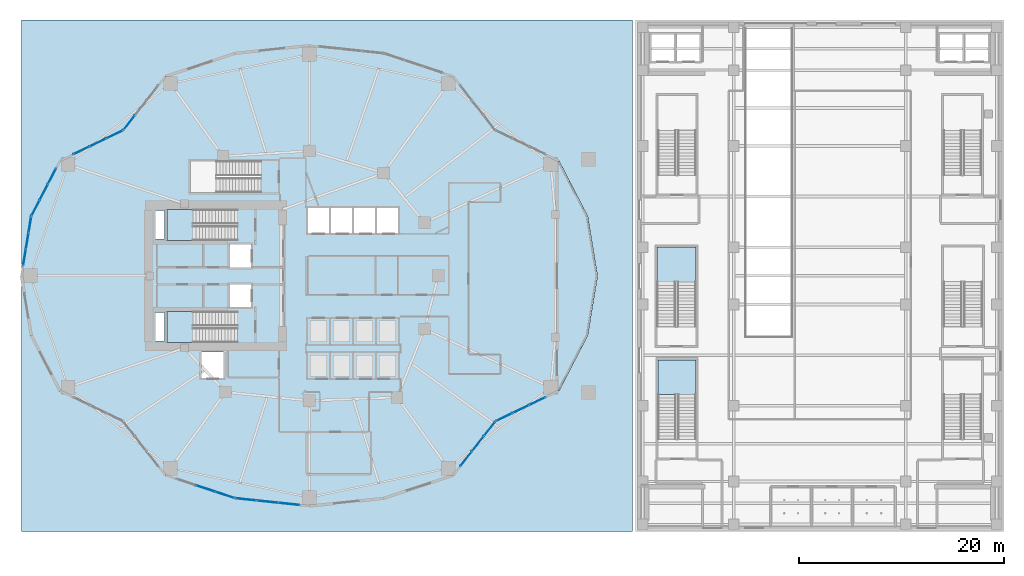
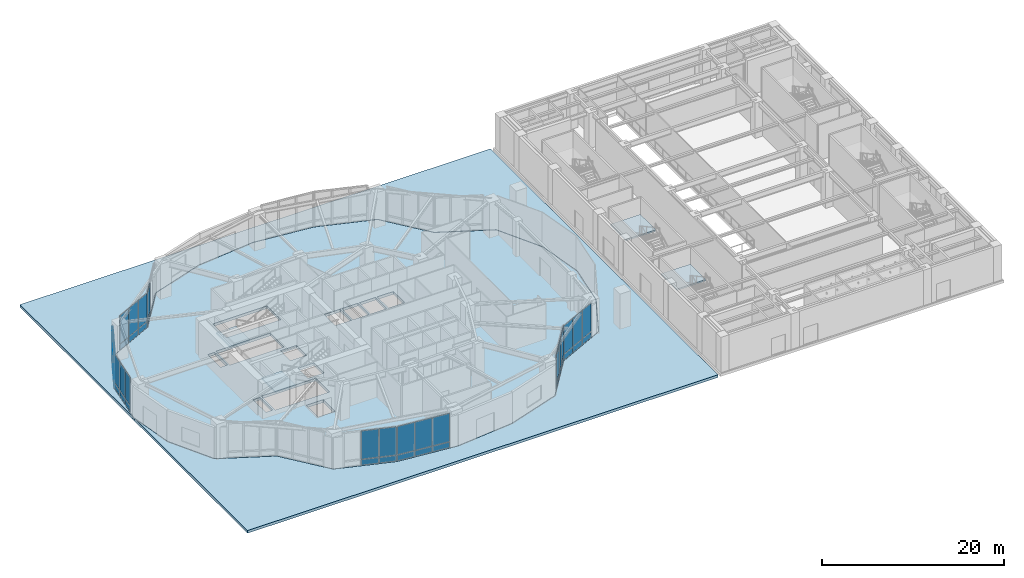
# One storey, part 9 of 23: 42 plates, 6 slabs, 12 elements without a shape of their own.
"""IFC4 building model written with IfcOpenShell, lengths in metres."""

import ifcopenshell
import ifcopenshell.guid

model = None  # the IFC model being written
_history = None  # IfcOwnerHistory: only IFC2X3 demands one
_inside = {}  # id of a spatial element -> (the spatial element, [elements in it])
_under = {}  # id of a project, library or spatial element -> (it, [spatial elements below it])
_declared = {}  # id of a project -> (the project, [libraries it declares])
_typed = {}  # id of a type object -> (the type object, [elements of that type])
_made_of = {}  # id of a material, layer set ... -> (it, [elements and type objects made of it])


def new_model(schema):
    """Start an empty IFC model of exactly this schema.

    Asked for "IFC4X3", IfcOpenShell would pick the latest addendum, in which some entities
    have other attributes; the version numbers below select the first issue.
    IFC2X3 requires an IfcOwnerHistory on every rooted entity: one is made here for all.
    """
    global model, _history
    if schema == "IFC4X3":
        model = ifcopenshell.file(schema_version=(4, 3, 0, 0))
    else:
        model = ifcopenshell.file(schema=schema)
    _inside.clear()
    _under.clear()
    _declared.clear()
    _typed.clear()
    _made_of.clear()
    _history = None
    if model.schema == "IFC2X3":
        org = make("IfcOrganization", Name="unknown")
        user = make(
            "IfcPersonAndOrganization",
            ThePerson=make("IfcPerson", FamilyName="unknown"),
            TheOrganization=org,
        )
        app = make(
            "IfcApplication",
            ApplicationDeveloper=org,
            Version="unknown",
            ApplicationFullName="unknown",
            ApplicationIdentifier="unknown",
        )
        _history = make(
            "IfcOwnerHistory",
            OwningUser=user,
            OwningApplication=app,
            ChangeAction="ADDED",
            CreationDate=0,
        )
    return model


def make(cls, **values):
    """One entity of the class cls with the attributes given. An attribute that is None is left unset."""
    return model.create_entity(
        cls, **{name: value for name, value in values.items() if value is not None}
    )


def rooted(cls, **values):
    """An entity with a GlobalId (a new one), such as an element, a storey or a relation."""
    return make(cls, GlobalId=ifcopenshell.guid.new(), OwnerHistory=_history, **values)


def si_unit(unit_type, name, prefix=None):
    """IfcSIUnit, for example si_unit("LENGTHUNIT", "METRE", prefix="MILLI")."""
    return make("IfcSIUnit", UnitType=unit_type, Prefix=prefix, Name=name)


def assignment(units):
    """IfcUnitAssignment: the units of a project."""
    return None if units is None else make("IfcUnitAssignment", Units=units)


def point(xyz):
    """IfcCartesianPoint."""
    return None if xyz is None else make("IfcCartesianPoint", Coordinates=xyz)


def direction(xyz):
    """IfcDirection."""
    return None if xyz is None else make("IfcDirection", DirectionRatios=xyz)


def frame(location, z_axis=None, x_axis=None):
    """IfcAxis2Placement3D, a coordinate frame: its origin and axes. An axis left out is left unset."""
    return make(
        "IfcAxis2Placement3D",
        Location=point(location),
        Axis=direction(z_axis),
        RefDirection=direction(x_axis),
    )


def frame_2d(location, x_axis=None):
    """IfcAxis2Placement2D, a coordinate frame in the plane: its origin and x axis."""
    return make(
        "IfcAxis2Placement2D", Location=point(location), RefDirection=direction(x_axis)
    )


def origin():
    """The frame at (0, 0, 0) with its axes left unset."""
    return frame((0.0, 0.0, 0.0))


def origin_2d():
    """The frame at (0, 0) in the plane with its x axis left unset."""
    return frame_2d((0.0, 0.0))


def place(relative_to, where):
    """IfcLocalPlacement: puts the frame where relative to a parent placement (None: the world)."""
    return make(
        "IfcLocalPlacement", PlacementRelTo=relative_to, RelativePlacement=where
    )


def context(
    kind, dimensions, precision=None, world=None, true_north=None, identifier=None
):
    """IfcGeometricRepresentationContext, for example the 3D "Model" context."""
    return make(
        "IfcGeometricRepresentationContext",
        ContextIdentifier=identifier,
        ContextType=kind,
        CoordinateSpaceDimension=dimensions,
        Precision=precision,
        WorldCoordinateSystem=world,
        TrueNorth=true_north,
    )


def subcontext(parent, identifier, kind, view, scale=None):
    """IfcGeometricRepresentationSubContext, for example "Body" below "Model"."""
    return make(
        "IfcGeometricRepresentationSubContext",
        ContextIdentifier=identifier,
        ContextType=kind,
        ParentContext=parent,
        TargetScale=scale,
        TargetView=view,
    )


def project(units=None, contexts=None):
    """IfcProject with its units and contexts."""
    return rooted(
        "IfcProject",
        Name="project",
        RepresentationContexts=contexts,
        UnitsInContext=assignment(units),
    )


def spatial(cls, under=None, at=None, **own):
    """A site, building, storey or space (cls), placed at a placement, below another one or the project."""
    s = rooted(cls, ObjectPlacement=at, **own)
    if under is not None:
        _under.setdefault(under.id(), (under, []))[1].append(s)
    return s


def polyline(points):
    """IfcPolyline through the points."""
    return make("IfcPolyline", Points=[point(p) for p in points])


def profile(cls, at=None, kind="AREA", **sizes):
    """A parametric profile (cls). Its sizes go by their IFC names, for example OverallWidth=200.0."""
    return make(cls, ProfileType=kind, Position=at, **sizes)


def rectangle(**sizes):
    """IfcRectangleProfileDef."""
    return profile("IfcRectangleProfileDef", **sizes)


def outline(outer, holes=None, kind="AREA"):
    """IfcArbitraryClosedProfileDef: a profile drawn as a closed curve; with holes, ...WithVoids."""
    if holes is None:
        return make("IfcArbitraryClosedProfileDef", ProfileType=kind, OuterCurve=outer)
    return make(
        "IfcArbitraryProfileDefWithVoids",
        ProfileType=kind,
        OuterCurve=outer,
        InnerCurves=holes,
    )


def extrude(swept, where, along, depth):
    """IfcExtrudedAreaSolid: the profile swept, set in the frame where, extruded along a direction by depth."""
    return make(
        "IfcExtrudedAreaSolid",
        SweptArea=swept,
        Position=where,
        ExtrudedDirection=direction(along),
        Depth=depth,
    )


def shape(context_of_items, identifier, shape_type, items):
    """IfcShapeRepresentation: the items that make up one representation, for example the "Body"."""
    return make(
        "IfcShapeRepresentation",
        ContextOfItems=context_of_items,
        RepresentationIdentifier=identifier,
        RepresentationType=shape_type,
        Items=items,
    )


def material(Name=None, Category=None):
    """IfcMaterial."""
    return make("IfcMaterial", Name=Name, Category=Category)


def layer(
    of_material, thickness, ventilated=None, Name=None, Category=None, Priority=None
):
    """IfcMaterialLayer: one layer of a wall or slab, of a material (None: an air gap)."""
    return make(
        "IfcMaterialLayer",
        Material=of_material,
        LayerThickness=thickness,
        IsVentilated=ventilated,
        Name=Name,
        Category=Category,
        Priority=Priority,
    )


def layer_set(layers, Name=None):
    """IfcMaterialLayerSet."""
    return make("IfcMaterialLayerSet", MaterialLayers=layers, LayerSetName=Name)


def made_of(thing, what):
    """Note that an element or type object is made of a material, layer set ...; save() writes the relation."""
    if what is not None:
        _made_of.setdefault(what.id(), (what, []))[1].append(thing)
    return thing


def type_object(cls, material=None, **own):
    """A type object (cls), such as IfcWallType, which elements share."""
    return made_of(rooted(cls, **own), material)


def element(
    cls,
    number,
    at=None,
    inside=None,
    cuts=None,
    type_object=None,
    material=None,
    context=None,
    identifier="Body",
    shape_type=None,
    held_by="IfcProductDefinitionShape",
    body=None,
    shapes=None,
    **own,
):
    """One element of the class cls, such as IfcWall. Its Tag is "e" and its number.

    at: its placement. inside: the storey or other place that contains it. cuts: it is an
    opening in that element (IfcRelVoidsElement). A single representation is given by context,
    identifier, shape_type and body (its items); several are given by shapes. held_by: the class
    of the entity that holds the representations. save() writes the other relations.
    """
    e = rooted(cls, Tag="e%d" % number, ObjectPlacement=at, **own)
    if body is not None:
        shapes = [shape(context, identifier, shape_type, body)]
    if shapes is not None:
        e.Representation = make(held_by, Representations=shapes)
    if inside is not None:
        _inside.setdefault(inside.id(), (inside, []))[1].append(e)
    if cuts is not None:
        rooted(
            "IfcRelVoidsElement", RelatingBuildingElement=cuts, RelatedOpeningElement=e
        )
    if type_object is not None:
        _typed.setdefault(type_object.id(), (type_object, []))[1].append(e)
    return made_of(e, material)


def aggregate(whole, parts):
    """IfcRelAggregates: a whole, such as a stair, and the parts it consists of."""
    return rooted("IfcRelAggregates", RelatingObject=whole, RelatedObjects=parts)


def save(model, path):
    """Write the relations noted so far, then the file.

    IfcRelAggregates (storeys below a building ...), IfcRelContainedInSpatialStructure (elements
    in a storey), IfcRelDefinesByType, IfcRelAssociatesMaterial and IfcRelDeclares: one each for
    every whole, place, type object, material and project.
    """
    for whole, parts in _under.values():
        aggregate(whole, parts)
    for where, things in _inside.values():
        rooted(
            "IfcRelContainedInSpatialStructure",
            RelatedElements=things,
            RelatingStructure=where,
        )
    for kind, things in _typed.values():
        rooted("IfcRelDefinesByType", RelatedObjects=things, RelatingType=kind)
    for what, things in _made_of.values():
        rooted("IfcRelAssociatesMaterial", RelatedObjects=things, RelatingMaterial=what)
    for by, libraries in _declared.values():
        rooted("IfcRelDeclares", RelatingContext=by, RelatedDefinitions=libraries)
    model.write(path)


model = new_model("IFC4")

# Units and contexts
model_context = context("Model", 3, precision=1e-05, world=origin(), true_north=direction((0.0, 1.0)))
body_context = subcontext(model_context, "Body", "Model", "MODEL_VIEW")
ifc_project = project(units=[si_unit("LENGTHUNIT", "METRE"), si_unit("AREAUNIT", "SQUARE_METRE"), si_unit("VOLUMEUNIT", "CUBIC_METRE"), si_unit("PLANEANGLEUNIT", "RADIAN"), si_unit("MASSUNIT", "GRAM", prefix="KILO")], contexts=[model_context])

# Site, building, storey
site_placement = place(None, origin())
site = spatial("IfcSite", under=ifc_project, at=site_placement, CompositionType="ELEMENT")
building_placement = place(site_placement, origin())
building = spatial("IfcBuilding", under=site, at=building_placement, Name="Kolvaren Gate Tower and Convention Centre", CompositionType="ELEMENT")
storey_placement = place(building_placement, origin())
storey = spatial("IfcBuildingStorey", under=building, at=storey_placement, Name="L00", CompositionType="ELEMENT", Elevation=0.0)

# Curtain wall, plate
ifc_material_1 = material(Name="Anodized Architectural Aluminium Alloy 6063-T6", Category="aluminium")
ifc_layer_1 = layer(ifc_material_1, 0.179931640625)
ifc_layer_set_1 = layer_set([ifc_layer_1], Name="Anodized Architectural Aluminium Alloy 6063-T6")
curtain_wall_type = type_object("IfcCurtainWallType", Name="CW-POD-GLZ", PredefinedType="NOTDEFINED", material=ifc_layer_set_1)
curtain_wall_1_placement = place(storey_placement, origin())
curtain_wall_1 = element("IfcCurtainWall", 1, at=curtain_wall_1_placement, inside=storey, type_object=curtain_wall_type, Name="Tower L00 Unitised Curtain Wall CW-POD-GLZ Bay 08", PredefinedType="NOTDEFINED")
ifc_material_2 = material(Name="Low-E Triple Insulated Glazing Unit 44 mm", Category="glass")
ifc_layer_2 = layer(ifc_material_2, 0.0439453125)
ifc_layer_set_2 = layer_set([ifc_layer_2], Name="Low-E Triple Insulated Glazing Unit 44 mm")
plate_type_1 = type_object("IfcPlateType", Name="CW-PL-IGU-44", PredefinedType="CURTAIN_PANEL", material=ifc_layer_set_2)
plate_1_placement = place(storey_placement, frame((12.523681640625, 41.965087890625, 0.8876953125), z_axis=(0.0, 0.0, 1.0), x_axis=(0.616421003276, 0.787416755422, 0.0)))
plate_1 = element("IfcPlate", 2, at=plate_1_placement, type_object=plate_type_1, Name="CW-01 panel 1.2", PredefinedType="CURTAIN_PANEL", context=body_context, shape_type="SweptSolid", body=[
    extrude(rectangle(XDim=1.7607421875, YDim=0.0439453125, at=origin_2d()), origin(), (0.0, 0.0, 1.0), 3.777587890625),
])

# Curtain wall, plates
curtain_wall_2_placement = place(storey_placement, origin())
curtain_wall_2 = element("IfcCurtainWall", 3, at=curtain_wall_2_placement, inside=storey, type_object=curtain_wall_type, Name="Tower L00 Unitised Curtain Wall CW-POD-GLZ Bay 09", PredefinedType="NOTDEFINED")
plate_2_placement = place(storey_placement, frame((7.85009765625, 39.250244140625, 0.8876953125), z_axis=(0.0, 0.0, 1.0), x_axis=(0.901366679942, 0.433056703319, 0.0)))
plate_2 = element("IfcPlate", 4, at=plate_2_placement, type_object=plate_type_1, Name="CW-01 panel 1.2", PredefinedType="CURTAIN_PANEL", context=body_context, shape_type="SweptSolid", body=[
    extrude(rectangle(XDim=1.707763671875, YDim=0.0439453125, at=origin_2d()), origin(), (0.0, 0.0, 1.0), 3.777587890625),
])
plate_3_placement = place(storey_placement, frame((9.4736328125, 40.030517578125, 0.8876953125), z_axis=(0.0, 0.0, 1.0), x_axis=(0.901366679942, 0.433056703319, 0.0)))
plate_3 = element("IfcPlate", 5, at=plate_3_placement, type_object=plate_type_1, Name="CW-01 panel 2.2", PredefinedType="CURTAIN_PANEL", context=body_context, shape_type="SweptSolid", body=[
    extrude(rectangle(XDim=1.7451171875, YDim=0.0439453125, at=origin_2d()), origin(), (0.0, 0.0, 1.0), 3.777587890625),
])
plate_4_placement = place(storey_placement, frame((11.097412109375, 40.810546875, 0.8876953125), z_axis=(0.0, 0.0, 1.0), x_axis=(0.901366679942, 0.433056703319, 0.0)))
plate_4 = element("IfcPlate", 6, at=plate_4_placement, type_object=plate_type_1, Name="CW-01 panel 3.2", PredefinedType="CURTAIN_PANEL", context=body_context, shape_type="SweptSolid", body=[
    extrude(rectangle(XDim=1.707763671875, YDim=0.0439453125, at=origin_2d()), origin(), (0.0, 0.0, 1.0), 3.777587890625),
])

curtain_wall_3_placement = place(storey_placement, origin())
curtain_wall_3 = element("IfcCurtainWall", 7, at=curtain_wall_3_placement, inside=storey, type_object=curtain_wall_type, Name="Tower L00 Unitised Curtain Wall CW-POD-GLZ Bay 10", PredefinedType="NOTDEFINED")
plate_5_placement = place(storey_placement, frame((3.373779296875, 33.625732421875, 0.8876953125), z_axis=(0.0, 0.0, 1.0), x_axis=(0.459789264949, 0.888028058024, 0.0)))
plate_5 = element("IfcPlate", 8, at=plate_5_placement, type_object=plate_type_1, Name="CW-01 panel 1.2", PredefinedType="CURTAIN_PANEL", context=body_context, shape_type="SweptSolid", body=[
    extrude(rectangle(XDim=1.6572265625, YDim=0.0439453125, at=origin_2d()), origin(), (0.0, 0.0, 1.0), 3.777587890625),
])
plate_6_placement = place(storey_placement, frame((4.1787109375, 35.1806640625, 0.8876953125), z_axis=(0.0, 0.0, 1.0), x_axis=(0.459789264949, 0.888028058024, 0.0)))
plate_6 = element("IfcPlate", 9, at=plate_6_placement, type_object=plate_type_1, Name="CW-01 panel 2.2", PredefinedType="CURTAIN_PANEL", context=body_context, shape_type="SweptSolid", body=[
    extrude(rectangle(XDim=1.694580078125, YDim=0.0439453125, at=origin_2d()), origin(), (0.0, 0.0, 1.0), 3.777587890625),
])
plate_7_placement = place(storey_placement, frame((4.98388671875, 36.735595703125, 0.8876953125), z_axis=(0.0, 0.0, 1.0), x_axis=(0.459789264949, 0.888028058024, 0.0)))
plate_7 = element("IfcPlate", 10, at=plate_7_placement, type_object=plate_type_1, Name="CW-01 panel 3.2", PredefinedType="CURTAIN_PANEL", context=body_context, shape_type="SweptSolid", body=[
    extrude(rectangle(XDim=1.6572265625, YDim=0.0439453125, at=origin_2d()), origin(), (0.0, 0.0, 1.0), 3.777587890625),
])

curtain_wall_4_placement = place(storey_placement, origin())
curtain_wall_4 = element("IfcCurtainWall", 11, at=curtain_wall_4_placement, inside=storey, type_object=curtain_wall_type, Name="Tower L00 Unitised Curtain Wall CW-POD-GLZ Bay 11", PredefinedType="NOTDEFINED")
plate_8_placement = place(storey_placement, frame((2.295166015625, 28.793212890625, 0.8876953125), z_axis=(0.0, 0.0, 1.0), x_axis=(0.162376449454, 0.986728883059, 0.0)))
plate_8 = element("IfcPlate", 12, at=plate_8_placement, type_object=plate_type_1, Name="CW-01 panel 1.2", PredefinedType="CURTAIN_PANEL", context=body_context, shape_type="SweptSolid", body=[
    extrude(rectangle(XDim=1.52880859375, YDim=0.0439453125, at=origin_2d()), origin(), (0.0, 0.0, 1.0), 3.777587890625),
])
plate_9_placement = place(storey_placement, frame((2.55859375, 30.394287109375, 0.8876953125), z_axis=(0.0, 0.0, 1.0), x_axis=(0.162376449454, 0.986728883059, 0.0)))
plate_9 = element("IfcPlate", 13, at=plate_9_placement, type_object=plate_type_1, Name="CW-01 panel 2.2", PredefinedType="CURTAIN_PANEL", context=body_context, shape_type="SweptSolid", body=[
    extrude(rectangle(XDim=1.566162109375, YDim=0.0439453125, at=origin_2d()), origin(), (0.0, 0.0, 1.0), 3.777587890625),
])
plate_10_placement = place(storey_placement, frame((2.822021484375, 31.9951171875, 0.8876953125), z_axis=(0.0, 0.0, 1.0), x_axis=(0.162376449454, 0.986728883059, 0.0)))
plate_10 = element("IfcPlate", 14, at=plate_10_placement, type_object=plate_type_1, Name="CW-01 panel 3.2", PredefinedType="CURTAIN_PANEL", context=body_context, shape_type="SweptSolid", body=[
    extrude(rectangle(XDim=1.52880859375, YDim=0.0439453125, at=origin_2d()), origin(), (0.0, 0.0, 1.0), 3.777587890625),
])

curtain_wall_5_placement = place(storey_placement, origin())
curtain_wall_5 = element("IfcCurtainWall", 15, at=curtain_wall_5_placement, inside=storey, type_object=curtain_wall_type, Name="Tower L00 Unitised Curtain Wall CW-POD-GLZ Bay 16", PredefinedType="NOTDEFINED")
plate_11_placement = place(storey_placement, frame((19.973876953125, 6.21826171875, 0.8876953125), z_axis=(0.0, 0.0, 1.0), x_axis=(0.949242053404, -0.314546537175, 0.0)))
plate_11 = element("IfcPlate", 16, at=plate_11_placement, type_object=plate_type_1, Name="CW-01 panel 2.2", PredefinedType="CURTAIN_PANEL", context=body_context, shape_type="SweptSolid", body=[
    extrude(rectangle(XDim=1.94189453125, YDim=0.0439453125, at=origin_2d()), origin(), (0.0, 0.0, 1.0), 3.777587890625),
])
plate_12_placement = place(storey_placement, frame((21.87060546875, 5.58984375, 0.8876953125), z_axis=(0.0, 0.0, 1.0), x_axis=(0.949242053404, -0.314546537175, 0.0)))
plate_12 = element("IfcPlate", 17, at=plate_12_placement, type_object=plate_type_1, Name="CW-01 panel 3.2", PredefinedType="CURTAIN_PANEL", context=body_context, shape_type="SweptSolid", body=[
    extrude(rectangle(XDim=1.904541015625, YDim=0.0439453125, at=origin_2d()), origin(), (0.0, 0.0, 1.0), 3.777587890625),
])

curtain_wall_6_placement = place(storey_placement, origin())
curtain_wall_6 = element("IfcCurtainWall", 18, at=curtain_wall_6_placement, inside=storey, type_object=curtain_wall_type, Name="Tower L00 Unitised Curtain Wall CW-POD-GLZ Bay 17", PredefinedType="NOTDEFINED")
plate_13_placement = place(storey_placement, frame((23.923583984375, 5.153076171875, 0.8876953125), z_axis=(0.0, 0.0, 1.0), x_axis=(0.994499449653, -0.104741799872, 0.0)))
plate_13 = element("IfcPlate", 19, at=plate_13_placement, type_object=plate_type_1, Name="CW-01 panel 1.2", PredefinedType="CURTAIN_PANEL", context=body_context, shape_type="SweptSolid", body=[
    extrude(rectangle(XDim=2.017822265625, YDim=0.0439453125, at=origin_2d()), origin(), (0.0, 0.0, 1.0), 3.777587890625),
])
plate_14_placement = place(storey_placement, frame((26.023681640625, 4.931884765625, 0.8876953125), z_axis=(0.0, 0.0, 1.0), x_axis=(0.994499449653, -0.104741799872, 0.0)))
plate_14 = element("IfcPlate", 20, at=plate_14_placement, type_object=plate_type_1, Name="CW-01 panel 2.2", PredefinedType="CURTAIN_PANEL", context=body_context, shape_type="SweptSolid", body=[
    extrude(rectangle(XDim=2.055419921875, YDim=0.0439453125, at=origin_2d()), origin(), (0.0, 0.0, 1.0), 3.777587890625),
])
plate_15_placement = place(storey_placement, frame((28.12353515625, 4.7109375, 0.8876953125), z_axis=(0.0, 0.0, 1.0), x_axis=(0.994499449653, -0.104741799872, 0.0)))
plate_15 = element("IfcPlate", 21, at=plate_15_placement, type_object=plate_type_1, Name="CW-01 panel 3.2", PredefinedType="CURTAIN_PANEL", context=body_context, shape_type="SweptSolid", body=[
    extrude(rectangle(XDim=2.017822265625, YDim=0.0439453125, at=origin_2d()), origin(), (0.0, 0.0, 1.0), 3.777587890625),
])

curtain_wall_7_placement = place(storey_placement, origin())
curtain_wall_7 = element("IfcCurtainWall", 22, at=curtain_wall_7_placement, inside=storey, type_object=curtain_wall_type, Name="Tower L00 Unitised Curtain Wall CW-POD-GLZ Bay 20", PredefinedType="NOTDEFINED")
plate_16_placement = place(storey_placement, frame((45.439697265625, 9.114013671875, 0.8876953125), z_axis=(0.0, 0.0, 1.0), x_axis=(0.616425794643, 0.787413004527, 0.0)))
plate_16 = element("IfcPlate", 23, at=plate_16_placement, type_object=plate_type_1, Name="CW-01 panel 1.2", PredefinedType="CURTAIN_PANEL", context=body_context, shape_type="SweptSolid", body=[
    extrude(rectangle(XDim=1.760986328125, YDim=0.0439453125, at=origin_2d()), origin(), (0.0, 0.0, 1.0), 3.777587890625),
])
plate_17_placement = place(storey_placement, frame((46.5830078125, 10.574462890625, 0.8876953125), z_axis=(0.0, 0.0, 1.0), x_axis=(0.616425794643, 0.787413004527, 0.0)))
plate_17 = element("IfcPlate", 24, at=plate_17_placement, type_object=plate_type_1, Name="CW-01 panel 2.2", PredefinedType="CURTAIN_PANEL", context=body_context, shape_type="SweptSolid", body=[
    extrude(rectangle(XDim=1.79833984375, YDim=0.0439453125, at=origin_2d()), origin(), (0.0, 0.0, 1.0), 3.777587890625),
])
plate_18_placement = place(storey_placement, frame((47.726318359375, 12.034912109375, 0.8876953125), z_axis=(0.0, 0.0, 1.0), x_axis=(0.616425794643, 0.787413004527, 0.0)))
plate_18 = element("IfcPlate", 25, at=plate_18_placement, type_object=plate_type_1, Name="CW-01 panel 3.2", PredefinedType="CURTAIN_PANEL", context=body_context, shape_type="SweptSolid", body=[
    extrude(rectangle(XDim=1.760986328125, YDim=0.0439453125, at=origin_2d()), origin(), (0.0, 0.0, 1.0), 3.777587890625),
])

curtain_wall_8_placement = place(storey_placement, origin())
curtain_wall_8 = element("IfcCurtainWall", 26, at=curtain_wall_8_placement, inside=storey, type_object=curtain_wall_type, Name="Tower L00 Unitised Curtain Wall CW-POD-GLZ Bay 21", PredefinedType="NOTDEFINED")
plate_19_placement = place(storey_placement, frame((49.15234375, 13.189453125, 0.8876953125), z_axis=(0.0, 0.0, 1.0), x_axis=(0.90136380435, 0.433062688542, 0.0)))
plate_19 = element("IfcPlate", 27, at=plate_19_placement, type_object=plate_type_1, Name="CW-01 panel 1.2", PredefinedType="CURTAIN_PANEL", context=body_context, shape_type="SweptSolid", body=[
    extrude(rectangle(XDim=1.70751953125, YDim=0.0439453125, at=origin_2d()), origin(), (0.0, 0.0, 1.0), 3.777587890625),
])
plate_20_placement = place(storey_placement, frame((50.77587890625, 13.969482421875, 0.8876953125), z_axis=(0.0, 0.0, 1.0), x_axis=(0.90136380435, 0.433062688542, 0.0)))
plate_20 = element("IfcPlate", 28, at=plate_20_placement, type_object=plate_type_1, Name="CW-01 panel 2.2", PredefinedType="CURTAIN_PANEL", context=body_context, shape_type="SweptSolid", body=[
    extrude(rectangle(XDim=1.744873046875, YDim=0.0439453125, at=origin_2d()), origin(), (0.0, 0.0, 1.0), 3.777587890625),
])
plate_21_placement = place(storey_placement, frame((52.399658203125, 14.74951171875, 0.8876953125), z_axis=(0.0, 0.0, 1.0), x_axis=(0.90136380435, 0.433062688542, 0.0)))
plate_21 = element("IfcPlate", 29, at=plate_21_placement, type_object=plate_type_1, Name="CW-01 panel 3.2", PredefinedType="CURTAIN_PANEL", context=body_context, shape_type="SweptSolid", body=[
    extrude(rectangle(XDim=1.70751953125, YDim=0.0439453125, at=origin_2d()), origin(), (0.0, 0.0, 1.0), 3.777587890625),
])

# Plate
ifc_material_3 = material(Name="Solar-Control Laminated Curtain Glazing 36 mm", Category="glass")
ifc_layer_3 = layer(ifc_material_3, 0.035888671875)
ifc_layer_set_3 = layer_set([ifc_layer_3], Name="Solar-Control Laminated Curtain Glazing 36 mm")
plate_type_2 = type_object("IfcPlateType", Name="CW-PL-SPAN-36", PredefinedType="CURTAIN_PANEL", material=ifc_layer_set_3)
plate_22_placement = place(storey_placement, frame((12.523681640625, 41.965087890625, 0.0751953125), z_axis=(0.0, 0.0, 1.0), x_axis=(0.616421003276, 0.787416755422, 0.0)))
plate_22 = element("IfcPlate", 30, at=plate_22_placement, type_object=plate_type_2, Name="CW-01 panel 1.1", PredefinedType="CURTAIN_PANEL", context=body_context, shape_type="SweptSolid", body=[
    extrude(rectangle(XDim=1.7607421875, YDim=0.035888671875, at=origin_2d()), origin(), (0.0, 0.0, 1.0), 0.737548828125),
])

aggregate(curtain_wall_1, [plate_22, plate_1])

plate_23_placement = place(storey_placement, frame((7.85009765625, 39.250244140625, 0.0751953125), z_axis=(0.0, 0.0, 1.0), x_axis=(0.901366679942, 0.433056703319, 0.0)))
plate_23 = element("IfcPlate", 31, at=plate_23_placement, type_object=plate_type_2, Name="CW-01 panel 1.1", PredefinedType="CURTAIN_PANEL", context=body_context, shape_type="SweptSolid", body=[
    extrude(rectangle(XDim=1.707763671875, YDim=0.035888671875, at=origin_2d()), origin(), (0.0, 0.0, 1.0), 0.737548828125),
])

plate_24_placement = place(storey_placement, frame((9.4736328125, 40.030517578125, 0.0751953125), z_axis=(0.0, 0.0, 1.0), x_axis=(0.901366679942, 0.433056703319, 0.0)))
plate_24 = element("IfcPlate", 32, at=plate_24_placement, type_object=plate_type_2, Name="CW-01 panel 2.1", PredefinedType="CURTAIN_PANEL", context=body_context, shape_type="SweptSolid", body=[
    extrude(rectangle(XDim=1.7451171875, YDim=0.035888671875, at=origin_2d()), origin(), (0.0, 0.0, 1.0), 0.737548828125),
])

plate_25_placement = place(storey_placement, frame((11.097412109375, 40.810546875, 0.0751953125), z_axis=(0.0, 0.0, 1.0), x_axis=(0.901366679942, 0.433056703319, 0.0)))
plate_25 = element("IfcPlate", 33, at=plate_25_placement, type_object=plate_type_2, Name="CW-01 panel 3.1", PredefinedType="CURTAIN_PANEL", context=body_context, shape_type="SweptSolid", body=[
    extrude(rectangle(XDim=1.707763671875, YDim=0.035888671875, at=origin_2d()), origin(), (0.0, 0.0, 1.0), 0.737548828125),
])

aggregate(curtain_wall_2, [plate_23, plate_2, plate_24, plate_3, plate_25, plate_4])

plate_26_placement = place(storey_placement, frame((3.373779296875, 33.625732421875, 0.0751953125), z_axis=(0.0, 0.0, 1.0), x_axis=(0.459789264949, 0.888028058024, 0.0)))
plate_26 = element("IfcPlate", 34, at=plate_26_placement, type_object=plate_type_2, Name="CW-01 panel 1.1", PredefinedType="CURTAIN_PANEL", context=body_context, shape_type="SweptSolid", body=[
    extrude(rectangle(XDim=1.6572265625, YDim=0.035888671875, at=origin_2d()), origin(), (0.0, 0.0, 1.0), 0.737548828125),
])

plate_27_placement = place(storey_placement, frame((4.1787109375, 35.1806640625, 0.0751953125), z_axis=(0.0, 0.0, 1.0), x_axis=(0.459789264949, 0.888028058024, 0.0)))
plate_27 = element("IfcPlate", 35, at=plate_27_placement, type_object=plate_type_2, Name="CW-01 panel 2.1", PredefinedType="CURTAIN_PANEL", context=body_context, shape_type="SweptSolid", body=[
    extrude(rectangle(XDim=1.694580078125, YDim=0.035888671875, at=origin_2d()), origin(), (0.0, 0.0, 1.0), 0.737548828125),
])

plate_28_placement = place(storey_placement, frame((4.98388671875, 36.735595703125, 0.0751953125), z_axis=(0.0, 0.0, 1.0), x_axis=(0.459789264949, 0.888028058024, 0.0)))
plate_28 = element("IfcPlate", 36, at=plate_28_placement, type_object=plate_type_2, Name="CW-01 panel 3.1", PredefinedType="CURTAIN_PANEL", context=body_context, shape_type="SweptSolid", body=[
    extrude(rectangle(XDim=1.6572265625, YDim=0.035888671875, at=origin_2d()), origin(), (0.0, 0.0, 1.0), 0.737548828125),
])

aggregate(curtain_wall_3, [plate_26, plate_5, plate_27, plate_6, plate_28, plate_7])

plate_29_placement = place(storey_placement, frame((2.295166015625, 28.793212890625, 0.0751953125), z_axis=(0.0, 0.0, 1.0), x_axis=(0.162376449454, 0.986728883059, 0.0)))
plate_29 = element("IfcPlate", 37, at=plate_29_placement, type_object=plate_type_2, Name="CW-01 panel 1.1", PredefinedType="CURTAIN_PANEL", context=body_context, shape_type="SweptSolid", body=[
    extrude(rectangle(XDim=1.52880859375, YDim=0.035888671875, at=origin_2d()), origin(), (0.0, 0.0, 1.0), 0.737548828125),
])

plate_30_placement = place(storey_placement, frame((2.55859375, 30.394287109375, 0.0751953125), z_axis=(0.0, 0.0, 1.0), x_axis=(0.162376449454, 0.986728883059, 0.0)))
plate_30 = element("IfcPlate", 38, at=plate_30_placement, type_object=plate_type_2, Name="CW-01 panel 2.1", PredefinedType="CURTAIN_PANEL", context=body_context, shape_type="SweptSolid", body=[
    extrude(rectangle(XDim=1.566162109375, YDim=0.035888671875, at=origin_2d()), origin(), (0.0, 0.0, 1.0), 0.737548828125),
])

plate_31_placement = place(storey_placement, frame((2.822021484375, 31.9951171875, 0.0751953125), z_axis=(0.0, 0.0, 1.0), x_axis=(0.162376449454, 0.986728883059, 0.0)))
plate_31 = element("IfcPlate", 39, at=plate_31_placement, type_object=plate_type_2, Name="CW-01 panel 3.1", PredefinedType="CURTAIN_PANEL", context=body_context, shape_type="SweptSolid", body=[
    extrude(rectangle(XDim=1.52880859375, YDim=0.035888671875, at=origin_2d()), origin(), (0.0, 0.0, 1.0), 0.737548828125),
])

aggregate(curtain_wall_4, [plate_29, plate_8, plate_30, plate_9, plate_31, plate_10])

plate_32_placement = place(storey_placement, frame((19.973876953125, 6.21826171875, 0.0751953125), z_axis=(0.0, 0.0, 1.0), x_axis=(0.949242053404, -0.314546537175, 0.0)))
plate_32 = element("IfcPlate", 40, at=plate_32_placement, type_object=plate_type_2, Name="CW-01 panel 2.1", PredefinedType="CURTAIN_PANEL", context=body_context, shape_type="SweptSolid", body=[
    extrude(rectangle(XDim=1.94189453125, YDim=0.035888671875, at=origin_2d()), origin(), (0.0, 0.0, 1.0), 0.737548828125),
])

plate_33_placement = place(storey_placement, frame((21.87060546875, 5.58984375, 0.0751953125), z_axis=(0.0, 0.0, 1.0), x_axis=(0.949242053404, -0.314546537175, 0.0)))
plate_33 = element("IfcPlate", 41, at=plate_33_placement, type_object=plate_type_2, Name="CW-01 panel 3.1", PredefinedType="CURTAIN_PANEL", context=body_context, shape_type="SweptSolid", body=[
    extrude(rectangle(XDim=1.904541015625, YDim=0.035888671875, at=origin_2d()), origin(), (0.0, 0.0, 1.0), 0.737548828125),
])

aggregate(curtain_wall_5, [plate_32, plate_11, plate_33, plate_12])

plate_34_placement = place(storey_placement, frame((23.923583984375, 5.153076171875, 0.0751953125), z_axis=(0.0, 0.0, 1.0), x_axis=(0.994499449653, -0.104741799872, 0.0)))
plate_34 = element("IfcPlate", 42, at=plate_34_placement, type_object=plate_type_2, Name="CW-01 panel 1.1", PredefinedType="CURTAIN_PANEL", context=body_context, shape_type="SweptSolid", body=[
    extrude(rectangle(XDim=2.017822265625, YDim=0.035888671875, at=origin_2d()), origin(), (0.0, 0.0, 1.0), 0.737548828125),
])

plate_35_placement = place(storey_placement, frame((26.023681640625, 4.931884765625, 0.0751953125), z_axis=(0.0, 0.0, 1.0), x_axis=(0.994499449653, -0.104741799872, 0.0)))
plate_35 = element("IfcPlate", 43, at=plate_35_placement, type_object=plate_type_2, Name="CW-01 panel 2.1", PredefinedType="CURTAIN_PANEL", context=body_context, shape_type="SweptSolid", body=[
    extrude(rectangle(XDim=2.055419921875, YDim=0.035888671875, at=origin_2d()), origin(), (0.0, 0.0, 1.0), 0.737548828125),
])

plate_36_placement = place(storey_placement, frame((28.12353515625, 4.7109375, 0.0751953125), z_axis=(0.0, 0.0, 1.0), x_axis=(0.994499449653, -0.104741799872, 0.0)))
plate_36 = element("IfcPlate", 44, at=plate_36_placement, type_object=plate_type_2, Name="CW-01 panel 3.1", PredefinedType="CURTAIN_PANEL", context=body_context, shape_type="SweptSolid", body=[
    extrude(rectangle(XDim=2.017822265625, YDim=0.035888671875, at=origin_2d()), origin(), (0.0, 0.0, 1.0), 0.737548828125),
])

aggregate(curtain_wall_6, [plate_34, plate_13, plate_35, plate_14, plate_36, plate_15])

plate_37_placement = place(storey_placement, frame((45.439697265625, 9.114013671875, 0.0751953125), z_axis=(0.0, 0.0, 1.0), x_axis=(0.616425794643, 0.787413004527, 0.0)))
plate_37 = element("IfcPlate", 45, at=plate_37_placement, type_object=plate_type_2, Name="CW-01 panel 1.1", PredefinedType="CURTAIN_PANEL", context=body_context, shape_type="SweptSolid", body=[
    extrude(rectangle(XDim=1.760986328125, YDim=0.035888671875, at=origin_2d()), origin(), (0.0, 0.0, 1.0), 0.737548828125),
])

plate_38_placement = place(storey_placement, frame((46.5830078125, 10.574462890625, 0.0751953125), z_axis=(0.0, 0.0, 1.0), x_axis=(0.616425794643, 0.787413004527, 0.0)))
plate_38 = element("IfcPlate", 46, at=plate_38_placement, type_object=plate_type_2, Name="CW-01 panel 2.1", PredefinedType="CURTAIN_PANEL", context=body_context, shape_type="SweptSolid", body=[
    extrude(rectangle(XDim=1.79833984375, YDim=0.035888671875, at=origin_2d()), origin(), (0.0, 0.0, 1.0), 0.737548828125),
])

plate_39_placement = place(storey_placement, frame((47.726318359375, 12.034912109375, 0.0751953125), z_axis=(0.0, 0.0, 1.0), x_axis=(0.616425794643, 0.787413004527, 0.0)))
plate_39 = element("IfcPlate", 47, at=plate_39_placement, type_object=plate_type_2, Name="CW-01 panel 3.1", PredefinedType="CURTAIN_PANEL", context=body_context, shape_type="SweptSolid", body=[
    extrude(rectangle(XDim=1.760986328125, YDim=0.035888671875, at=origin_2d()), origin(), (0.0, 0.0, 1.0), 0.737548828125),
])

aggregate(curtain_wall_7, [plate_37, plate_16, plate_38, plate_17, plate_39, plate_18])

plate_40_placement = place(storey_placement, frame((49.15234375, 13.189453125, 0.0751953125), z_axis=(0.0, 0.0, 1.0), x_axis=(0.90136380435, 0.433062688542, 0.0)))
plate_40 = element("IfcPlate", 48, at=plate_40_placement, type_object=plate_type_2, Name="CW-01 panel 1.1", PredefinedType="CURTAIN_PANEL", context=body_context, shape_type="SweptSolid", body=[
    extrude(rectangle(XDim=1.70751953125, YDim=0.035888671875, at=origin_2d()), origin(), (0.0, 0.0, 1.0), 0.737548828125),
])

plate_41_placement = place(storey_placement, frame((50.77587890625, 13.969482421875, 0.0751953125), z_axis=(0.0, 0.0, 1.0), x_axis=(0.90136380435, 0.433062688542, 0.0)))
plate_41 = element("IfcPlate", 49, at=plate_41_placement, type_object=plate_type_2, Name="CW-01 panel 2.1", PredefinedType="CURTAIN_PANEL", context=body_context, shape_type="SweptSolid", body=[
    extrude(rectangle(XDim=1.744873046875, YDim=0.035888671875, at=origin_2d()), origin(), (0.0, 0.0, 1.0), 0.737548828125),
])

plate_42_placement = place(storey_placement, frame((52.399658203125, 14.74951171875, 0.0751953125), z_axis=(0.0, 0.0, 1.0), x_axis=(0.90136380435, 0.433062688542, 0.0)))
plate_42 = element("IfcPlate", 50, at=plate_42_placement, type_object=plate_type_2, Name="CW-01 panel 3.1", PredefinedType="CURTAIN_PANEL", context=body_context, shape_type="SweptSolid", body=[
    extrude(rectangle(XDim=1.70751953125, YDim=0.035888671875, at=origin_2d()), origin(), (0.0, 0.0, 1.0), 0.737548828125),
])

aggregate(curtain_wall_8, [plate_40, plate_19, plate_41, plate_20, plate_42, plate_21])

# Slabs
ifc_material_4 = material(Name="Concrete C50/60", Category="concrete")
ifc_layer_4 = layer(ifc_material_4, 0.360107421875)
ifc_layer_set_4 = layer_set([ifc_layer_4], Name="Concrete C50/60")
slab_type_1 = type_object("IfcSlabType", Name="STR-SL-FLR-360", PredefinedType="FLOOR", material=ifc_layer_set_4)
slab_1_placement = place(storey_placement, frame((0.0, 0.0, -0.360107421875)))
element("IfcSlab", 51, at=slab_1_placement, inside=storey, type_object=slab_type_1, Name="Tower L00 Structural Floor Slab", PredefinedType="FLOOR", context=body_context, shape_type="SweptSolid", body=[
    extrude(outline(polyline([(58.25, 27.0), (57.291748046875, 32.823486328125), (54.48193359375, 38.25), (48.315185546875, 41.212890625), (44.1875, 46.485595703125), (37.404296875, 48.7333984375), (30.125, 49.5), (22.845703125, 48.7333984375), (16.0625, 46.485595703125), (11.934814453125, 41.212890625), (5.76806640625, 38.25), (2.958251953125, 32.823486328125), (2.0, 27.0), (2.958251953125, 21.176513671875), (5.76806640625, 15.75), (11.934814453125, 12.787109375), (16.0625, 7.514404296875), (22.845703125, 5.2666015625), (30.125, 4.5), (37.404296875, 5.2666015625), (44.1875, 7.514404296875), (48.315185546875, 12.787109375), (54.48193359375, 15.75), (57.291748046875, 21.176513671875), (58.25, 27.0)]), holes=[polyline([(36.75, 31.199951171875), (36.75, 33.64990234375), (38.800048828125, 33.64990234375), (38.800048828125, 31.199951171875), (36.75, 31.199951171875)]), polyline([(34.5, 31.199951171875), (34.5, 33.64990234375), (36.550048828125, 33.64990234375), (36.550048828125, 31.199951171875), (34.5, 31.199951171875)]), polyline([(34.300048828125, 31.199951171875), (32.25, 31.199951171875), (32.25, 33.64990234375), (34.300048828125, 33.64990234375), (34.300048828125, 31.199951171875)]), polyline([(30.0, 31.199951171875), (30.0, 33.64990234375), (32.050048828125, 33.64990234375), (32.050048828125, 31.199951171875), (30.0, 31.199951171875)]), polyline([(25.39990234375, 38.199951171875), (25.39990234375, 35.159912109375), (18.5, 35.159912109375), (18.5, 38.199951171875), (25.39990234375, 38.199951171875)]), polyline([(22.35009765625, 27.840087890625), (22.35009765625, 30.0400390625), (24.39990234375, 30.0400390625), (24.39990234375, 27.840087890625), (22.35009765625, 27.840087890625)]), polyline([(24.39990234375, 23.9599609375), (22.35009765625, 23.9599609375), (22.35009765625, 26.159912109375), (24.39990234375, 26.159912109375), (24.39990234375, 23.9599609375)]), polyline([(23.10009765625, 23.5400390625), (23.10009765625, 20.5), (16.199951171875, 20.5), (16.199951171875, 23.5400390625), (23.10009765625, 23.5400390625)]), polyline([(23.10009765625, 33.5), (23.10009765625, 30.4599609375), (16.199951171875, 30.4599609375), (16.199951171875, 33.5), (23.10009765625, 33.5)]), polyline([(21.75, 17.0), (19.60009765625, 17.0), (19.60009765625, 19.550048828125), (21.75, 19.550048828125), (21.75, 17.0)]), polyline([(15.080078125, 20.6298828125), (15.080078125, 23.419921875), (15.969970703125, 23.419921875), (15.969970703125, 20.6298828125), (15.080078125, 20.6298828125)]), polyline([(15.969970703125, 30.580078125), (15.080078125, 30.580078125), (15.080078125, 33.3701171875), (15.969970703125, 33.3701171875), (15.969970703125, 30.580078125)])]), origin(), (0.0, 0.0, 1.0), 0.360107421875),
])
slab_2_placement = place(storey_placement, frame((0.0, 0.0, -0.360107421875)))
element("IfcSlab", 52, at=slab_2_placement, inside=storey, type_object=slab_type_1, Name="Ground Plaza Substructure Roof Apron Slab W1", PredefinedType="FLOOR", context=body_context, shape_type="SweptSolid", body=[
    extrude(outline(polyline([(2.0, 52.0), (61.699951171875, 52.0), (61.699951171875, 2.0), (2.0, 2.0), (2.0, 26.876708984375), (2.938720703125, 21.17333984375), (2.93896484375, 21.17138671875), (2.939697265625, 21.169189453125), (2.9404296875, 21.16748046875), (5.750244140625, 15.74072265625), (5.751220703125, 15.7392578125), (5.752197265625, 15.73779296875), (5.75341796875, 15.736328125), (5.754638671875, 15.735107421875), (5.756103515625, 15.73388671875), (5.7578125, 15.73291015625), (5.75927734375, 15.73193359375), (11.921875, 12.771240234375), (16.046875, 7.502197265625), (16.048095703125, 7.50048828125), (16.04931640625, 7.499267578125), (16.051025390625, 7.498046875), (16.052490234375, 7.4970703125), (16.054443359375, 7.49609375), (16.05615234375, 7.495361328125), (22.83935546875, 5.247802734375), (22.841552734375, 5.2470703125), (22.843505859375, 5.246826171875), (30.122802734375, 4.47998046875), (30.125, 4.47998046875), (30.127197265625, 4.47998046875), (37.406494140625, 5.246826171875), (37.408447265625, 5.2470703125), (37.41064453125, 5.247802734375), (44.19384765625, 7.495361328125), (44.195556640625, 7.49609375), (44.197509765625, 7.4970703125), (44.198974609375, 7.498046875), (44.20068359375, 7.499267578125), (44.201904296875, 7.50048828125), (44.203125, 7.502197265625), (48.328125, 12.771240234375), (54.49072265625, 15.73193359375), (54.4921875, 15.73291015625), (54.493896484375, 15.73388671875), (54.495361328125, 15.735107421875), (54.49658203125, 15.736328125), (54.497802734375, 15.73779296875), (54.498779296875, 15.7392578125), (54.499755859375, 15.74072265625), (57.3095703125, 21.16748046875), (57.310302734375, 21.169189453125), (57.31103515625, 21.17138671875), (57.311279296875, 21.17333984375), (58.269775390625, 26.996826171875), (58.27001953125, 26.998779296875), (58.27001953125, 27.001220703125), (58.269775390625, 27.003173828125), (57.311279296875, 32.82666015625), (57.31103515625, 32.82861328125), (57.310302734375, 32.830810546875), (57.3095703125, 32.83251953125), (54.499755859375, 38.25927734375), (54.498779296875, 38.2607421875), (54.497802734375, 38.26220703125), (54.49658203125, 38.263671875), (54.495361328125, 38.264892578125), (54.493896484375, 38.26611328125), (54.4921875, 38.26708984375), (54.49072265625, 38.26806640625), (48.328125, 41.228759765625), (44.203125, 46.497802734375), (44.201904296875, 46.49951171875), (44.20068359375, 46.500732421875), (44.198974609375, 46.501953125), (44.197509765625, 46.5029296875), (44.195556640625, 46.50390625), (44.19384765625, 46.504638671875), (37.41064453125, 48.752197265625), (37.408447265625, 48.7529296875), (37.406494140625, 48.753173828125), (30.127197265625, 49.52001953125), (30.125, 49.52001953125), (30.122802734375, 49.52001953125), (22.843505859375, 48.753173828125), (22.841552734375, 48.7529296875), (22.83935546875, 48.752197265625), (16.05615234375, 46.504638671875), (16.054443359375, 46.50390625), (16.052490234375, 46.5029296875), (16.051025390625, 46.501953125), (16.04931640625, 46.500732421875), (16.048095703125, 46.49951171875), (16.046875, 46.497802734375), (11.921875, 41.228759765625), (5.75927734375, 38.26806640625), (5.7578125, 38.26708984375), (5.756103515625, 38.26611328125), (5.754638671875, 38.264892578125), (5.75341796875, 38.263671875), (5.752197265625, 38.26220703125), (5.751220703125, 38.2607421875), (5.750244140625, 38.25927734375), (2.9404296875, 32.83251953125), (2.939697265625, 32.830810546875), (2.93896484375, 32.82861328125), (2.938720703125, 32.82666015625), (2.0, 27.123291015625), (2.0, 52.0)])), origin(), (0.0, 0.0, 1.0), 0.360107421875),
])

# Stair, slab
stair_type_1 = type_object("IfcStairType", Name="STR-STAIR-CORE", PredefinedType="HALF_TURN_STAIR", material=ifc_material_4)
stair_1_placement = place(storey_placement, origin())
stair_1 = element("IfcStair", 53, at=stair_1_placement, inside=storey, type_object=stair_type_1, Name="L00 Tower North Exit Stair ST-T1", PredefinedType="HALF_TURN_STAIR")
ifc_layer_5 = layer(ifc_material_4, 0.199951171875)
ifc_layer_set_5 = layer_set([ifc_layer_5], Name="Concrete C50/60")
slab_type_2 = type_object("IfcSlabType", Name="STR-SL-LAND-200", PredefinedType="LANDING", material=ifc_layer_set_5)
slab_3_placement = place(storey_placement, frame((0.0, 0.0, 2.300048828125)))
slab_3 = element("IfcSlab", 54, at=slab_3_placement, type_object=slab_type_2, Name="ST-T1 landing 1", PredefinedType="LANDING", context=body_context, shape_type="SweptSolid", body=[
    extrude(outline(polyline([(18.760009765625, 33.5), (16.199951171875, 33.5), (16.199951171875, 30.4599609375), (18.760009765625, 30.4599609375), (18.760009765625, 33.5)])), origin(), (0.0, 0.0, 1.0), 0.199951171875),
])
aggregate(stair_1, [slab_3])

stair_2_placement = place(storey_placement, origin())
stair_2 = element("IfcStair", 55, at=stair_2_placement, inside=storey, type_object=stair_type_1, Name="L00 Tower South Exit Stair ST-T2", PredefinedType="HALF_TURN_STAIR")
slab_4_placement = place(storey_placement, frame((0.0, 0.0, 2.300048828125)))
slab_4 = element("IfcSlab", 56, at=slab_4_placement, type_object=slab_type_2, Name="ST-T2 landing 1", PredefinedType="LANDING", context=body_context, shape_type="SweptSolid", body=[
    extrude(outline(polyline([(18.760009765625, 23.5400390625), (16.199951171875, 23.5400390625), (16.199951171875, 20.5), (18.760009765625, 20.5), (18.760009765625, 23.5400390625)])), origin(), (0.0, 0.0, 1.0), 0.199951171875),
])
aggregate(stair_2, [slab_4])

stair_type_2 = type_object("IfcStairType", Name="STR-STAIR-CONV", PredefinedType="HALF_TURN_STAIR", material=ifc_material_4)
stair_3_placement = place(storey_placement, origin())
stair_3 = element("IfcStair", 57, at=stair_3_placement, inside=storey, type_object=stair_type_2, Name="L00 Convention SW Exit Stair ST-C2", PredefinedType="HALF_TURN_STAIR")
slab_5_placement = place(storey_placement, frame((0.0, 0.0, 2.300048828125)))
slab_5 = element("IfcSlab", 58, at=slab_5_placement, type_object=slab_type_2, Name="ST-C2 landing 1", PredefinedType="LANDING", context=body_context, shape_type="SweptSolid", body=[
    extrude(outline(polyline([(67.89990234375, 15.389892578125), (67.89990234375, 18.800048828125), (64.199951171875, 18.800048828125), (64.199951171875, 15.389892578125), (67.89990234375, 15.389892578125)])), origin(), (0.0, 0.0, 1.0), 0.199951171875),
])
aggregate(stair_3, [slab_5])

stair_4_placement = place(storey_placement, origin())
stair_4 = element("IfcStair", 59, at=stair_4_placement, inside=storey, type_object=stair_type_2, Name="L00 Convention West Assembly Stair ST-C5", PredefinedType="HALF_TURN_STAIR")
slab_6_placement = place(storey_placement, frame((0.0, 0.0, 2.300048828125)))
slab_6 = element("IfcSlab", 60, at=slab_6_placement, type_object=slab_type_2, Name="ST-C5 landing 1", PredefinedType="LANDING", context=body_context, shape_type="SweptSolid", body=[
    extrude(outline(polyline([(67.89990234375, 26.389892578125), (67.89990234375, 29.800048828125), (64.10009765625, 29.800048828125), (64.10009765625, 26.389892578125), (67.89990234375, 26.389892578125)])), origin(), (0.0, 0.0, 1.0), 0.199951171875),
])
aggregate(stair_4, [slab_6])

save(model, "model.ifc")
